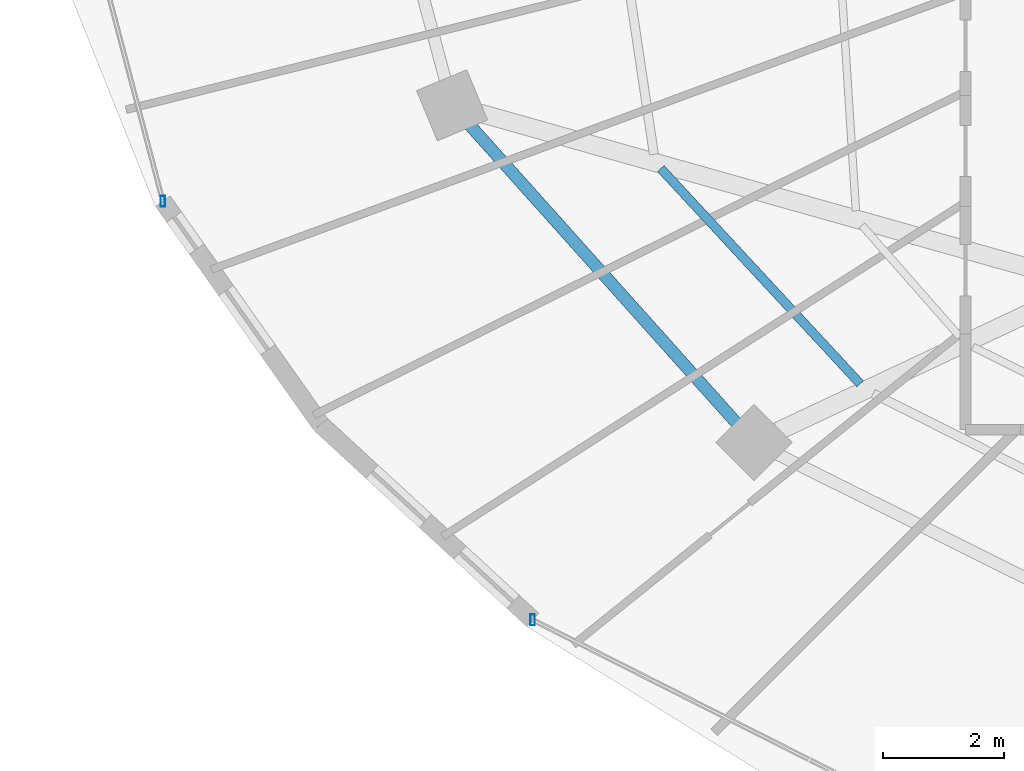
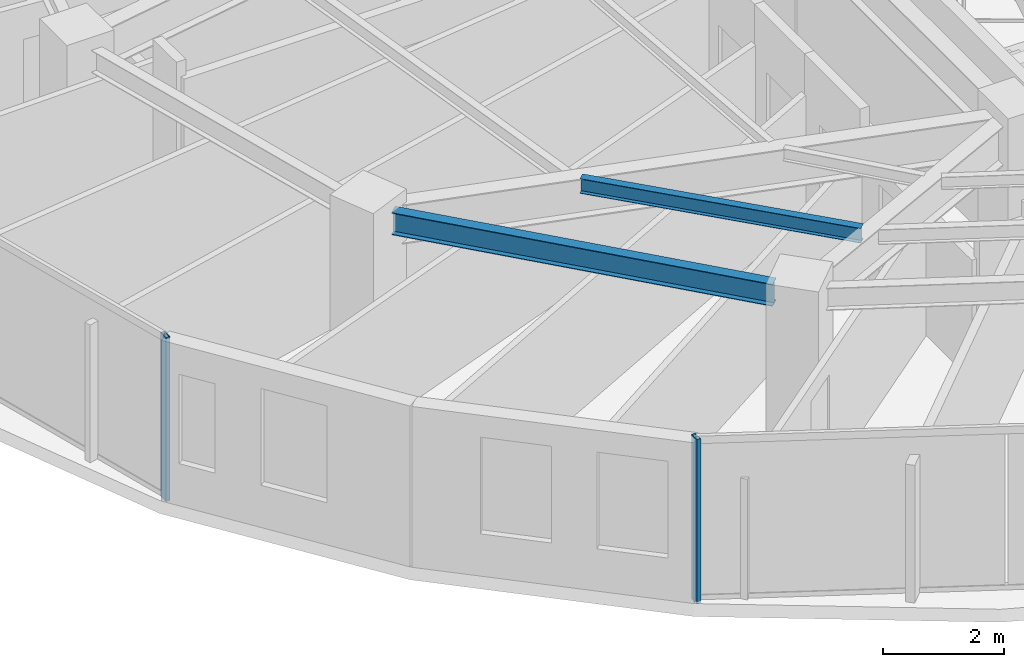
# One storey, part 2 of 33: 2 beams, 2 members, 2 elements without a shape of their own.
"""IFC4 building model written with IfcOpenShell, lengths in metres."""

from ifc_helpers import new_model, si_unit, direction, frame, origin, origin_2d, place, context, subcontext, project, spatial, hollow_rectangle, i_section, extrude, material, material_profile, profile_set, type_object, element, aggregate, save


model = new_model("IFC4")

# Units and contexts
model_context = context("Model", 3, precision=1e-05, world=origin(), true_north=direction((0.0, 1.0)))
body_context = subcontext(model_context, "Body", "Model", "MODEL_VIEW")
ifc_project = project(units=[si_unit("LENGTHUNIT", "METRE"), si_unit("AREAUNIT", "SQUARE_METRE"), si_unit("VOLUMEUNIT", "CUBIC_METRE"), si_unit("PLANEANGLEUNIT", "RADIAN"), si_unit("MASSUNIT", "GRAM", prefix="KILO")], contexts=[model_context])

# Site, building, storey
site_placement = place(None, origin())
site = spatial("IfcSite", under=ifc_project, at=site_placement, CompositionType="ELEMENT")
building_placement = place(site_placement, origin())
building = spatial("IfcBuilding", under=site, at=building_placement, Name="Vorneva Point Tower", CompositionType="ELEMENT")
storey_placement = place(building_placement, frame((0.0, 0.0, 196.60009765625)))
storey = spatial("IfcBuildingStorey", under=building, at=storey_placement, Name="L53", CompositionType="ELEMENT", Elevation=196.60009765625)

# Beams
ifc_material_1 = material(Name="Steel S355", Category="steel")
ifc_material_profile_1 = material_profile(ifc_material_1, i_section(OverallWidth=0.14892578125, OverallDepth=0.298095703125, WebThickness=0.005615234375, FlangeThickness=0.008056640625, at=origin_2d()), Name="30B1")
ifc_profile_set_1 = profile_set([ifc_material_profile_1], Name="Steel S355")
beam_type_1 = type_object("IfcBeamType", Name="BM-JST-30B1", PredefinedType="JOIST", material=ifc_profile_set_1)
beam_1_placement = place(storey_placement, frame((20.158935546875, 18.370849609375, 3.0908203125), z_axis=(0.679528381366, -0.733649220622, 0.0), x_axis=(0.733649220622, 0.679528381366, 0.0)))
element("IfcBeam", 1, at=beam_1_placement, inside=storey, type_object=beam_type_1, Name="L53 Secondary Floor Beam 1.10", PredefinedType="JOIST", context=body_context, shape_type="SweptSolid", body=[
    extrude(i_section(OverallWidth=0.14892578125, OverallDepth=0.298095703125, WebThickness=0.005615234375, FlangeThickness=0.008056640625, at=origin_2d()), origin(), (0.0, 0.0, 1.0), 4.853759765625),
])
ifc_material_profile_2 = material_profile(ifc_material_1, i_section(OverallWidth=0.198974609375, OverallDepth=0.446044921875, WebThickness=0.008056640625, FlangeThickness=0.011962890625, at=origin_2d()), Name="45B1")
ifc_profile_set_2 = profile_set([ifc_material_profile_2], Name="Steel S355")
beam_type_2 = type_object("IfcBeamType", Name="BM-SPN-45B1", PredefinedType="SPANDREL", material=ifc_profile_set_2)
beam_2_placement = place(storey_placement, frame((16.994873046875, 19.09375, 3.016845703125), z_axis=(0.66706970547, -0.744995307397, 0.0), x_axis=(0.744995307397, 0.66706970547, 0.0)))
element("IfcBeam", 2, at=beam_2_placement, inside=storey, type_object=beam_type_2, Name="L53 Perimeter Spandrel Ring Beam 10", PredefinedType="SPANDREL", context=body_context, shape_type="SweptSolid", body=[
    extrude(i_section(OverallWidth=0.198974609375, OverallDepth=0.446044921875, WebThickness=0.008056640625, FlangeThickness=0.011962890625, at=origin_2d()), origin(), (0.0, 0.0, 1.0), 6.6201171875),
])

# Curtain wall, member
ifc_material_2 = material(Name="Pale anodised aluminium", Category="aluminium")
curtain_wall_type = type_object("IfcCurtainWallType", Name="CW-RES-SYS", PredefinedType="NOTDEFINED", material=ifc_material_2)
curtain_wall_1_placement = place(storey_placement, origin())
curtain_wall_1 = element("IfcCurtainWall", 3, at=curtain_wall_1_placement, inside=storey, type_object=curtain_wall_type, Name="L53 Unitised Curtain Wall CW-L53-R03", PredefinedType="NOTDEFINED")
ifc_material_profile_3 = material_profile(ifc_material_2, hollow_rectangle(XDim=0.074951171875, YDim=0.179931640625, WallThickness=0.00390625, at=origin_2d()), Name="AL-MUL 180x75x4")
ifc_profile_set_3 = profile_set([ifc_material_profile_3], Name="Pale anodised aluminium")
member_type = type_object("IfcMemberType", Name="CW-MUL-180", PredefinedType="MULLION", material=ifc_profile_set_3)
member_1_placement = place(storey_placement, frame((11.9189453125, 17.82958984375, -0.0400390625), z_axis=(0.0, 0.0, 1.0), x_axis=(1.0, 0.0, 0.0)))
member_1 = element("IfcMember", 4, at=member_1_placement, type_object=member_type, Name="CW-L53-R03 Mullion 03", PredefinedType="MULLION", context=body_context, shape_type="SweptSolid", body=[
    extrude(hollow_rectangle(XDim=0.074951171875, YDim=0.179931640625, WallThickness=0.00390625, at=origin_2d()), origin(), (0.0, 0.0, 1.0), 3.31005859375),
])
aggregate(curtain_wall_1, [member_1])

curtain_wall_2_placement = place(storey_placement, origin())
curtain_wall_2 = element("IfcCurtainWall", 5, at=curtain_wall_2_placement, inside=storey, type_object=curtain_wall_type, Name="L53 Unitised Curtain Wall CW-L53-R04", PredefinedType="NOTDEFINED")
member_2_placement = place(storey_placement, frame((18.038330078125, 10.9033203125, -0.0400390625), z_axis=(0.0, 0.0, 1.0), x_axis=(1.0, 0.0, 0.0)))
member_2 = element("IfcMember", 6, at=member_2_placement, type_object=member_type, Name="CW-L53-R04 Mullion 01", PredefinedType="MULLION", context=body_context, shape_type="SweptSolid", body=[
    extrude(hollow_rectangle(XDim=0.074951171875, YDim=0.179931640625, WallThickness=0.00390625, at=origin_2d()), origin(), (0.0, 0.0, 1.0), 3.31005859375),
])
aggregate(curtain_wall_2, [member_2])

save(model, "model.ifc")
